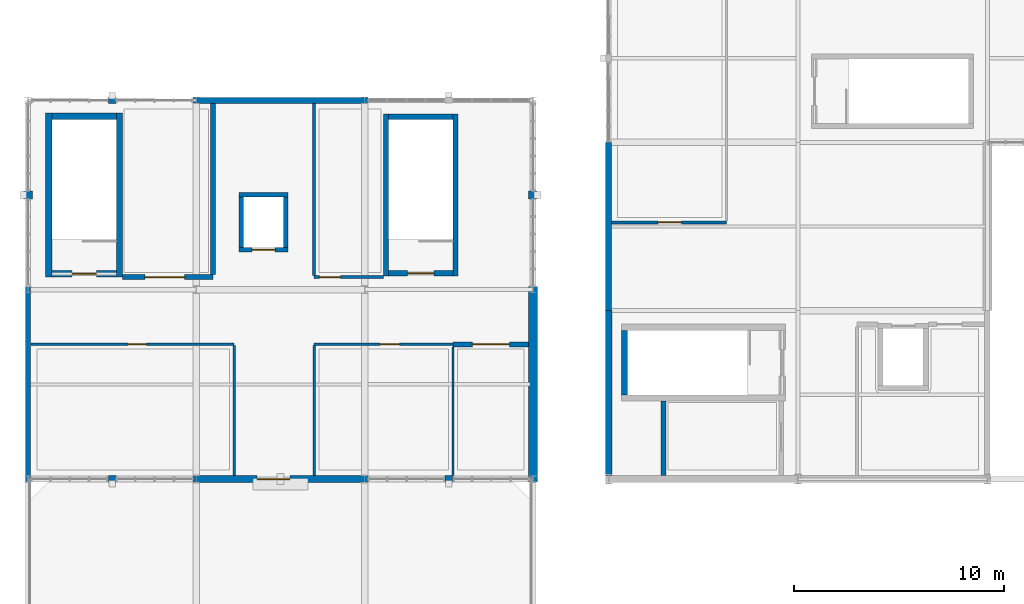
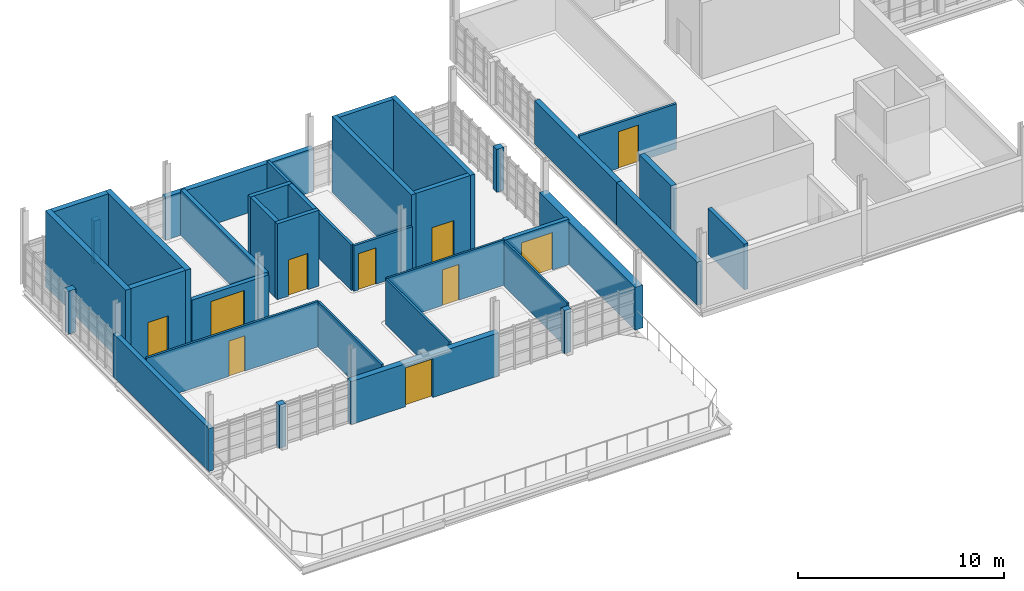
# One storey, part 38 of 44: 36 walls, 10 doors, 10 openings.
"""IFC4 building model written with IfcOpenShell, lengths in metres."""

from ifc_helpers import new_model, si_unit, direction, frame, frame_2d, origin, place, context, subcontext, project, spatial, rectangle, extrude, material, layer, layer_set, type_object, element, fill, save


model = new_model("IFC4")

# Units and contexts
model_context = context("Model", 3, precision=1e-05, world=origin(), true_north=direction((0.0, 1.0)))
body_context = subcontext(model_context, "Body", "Model", "MODEL_VIEW")
ifc_project = project(units=[si_unit("LENGTHUNIT", "METRE"), si_unit("AREAUNIT", "SQUARE_METRE"), si_unit("VOLUMEUNIT", "CUBIC_METRE"), si_unit("PLANEANGLEUNIT", "RADIAN"), si_unit("MASSUNIT", "GRAM", prefix="KILO")], contexts=[model_context])

# Site, building, storey
site_placement = place(None, origin())
site = spatial("IfcSite", under=ifc_project, at=site_placement, CompositionType="ELEMENT")
building_placement = place(site_placement, origin())
building = spatial("IfcBuilding", under=site, at=building_placement, Name="Serraforn Aerial Cableway Station", CompositionType="ELEMENT")
storey_placement = place(building_placement, frame((0.0, 0.0, 13.800048828125)))
storey = spatial("IfcBuildingStorey", under=building, at=storey_placement, Name="L03", CompositionType="ELEMENT", Elevation=13.800048828125)

# Wall, opening, door
ifc_material_1 = material(Name="Concrete C35/45", Category="concrete")
ifc_layer_1 = layer(ifc_material_1, 0.219970703125)
ifc_layer_set_1 = layer_set([ifc_layer_1], Name="Concrete C35/45")
wall_type_1 = type_object("IfcWallType", Name="WL-COR-220", PredefinedType="SHEAR", material=ifc_layer_set_1)
wall_1_placement = place(storey_placement, frame((10.030029296875, 28.889892578125, 0.0), z_axis=(0.0, 0.0, 1.0), x_axis=(1.0, 0.0, 0.0)))
wall_1 = element("IfcWall", 1, at=wall_1_placement, inside=storey, type_object=wall_type_1, Name="Lift Shaft Shear Wall WLFT-LF-01-L03-S", PredefinedType="SHEAR", context=body_context, shape_type="SweptSolid", body=[
    extrude(rectangle(XDim=2.340087890625, YDim=0.219970703125, at=frame_2d((1.169921875, 0.0))), origin(), (0.0, 0.0, 1.0), 4.5),
])
opening_1_placement = place(wall_1_placement, frame((0.6201171875, 0.0, 0.0)))
opening_1 = element("IfcOpeningElement", 2, at=opening_1_placement, cuts=wall_1, Name="Opening LD-04", PredefinedType="OPENING", context=body_context, shape_type="SweptSolid", body=[
    extrude(rectangle(XDim=1.10009765625, YDim=2.14990234375, at=frame_2d((0.550048828125, 1.074951171875))), frame((0.0, 0.119873046875, 0.0), z_axis=(0.0, -1.0, 0.0), x_axis=(1.0, 0.0, 0.0)), (0.0, 0.0, 1.0), 0.239990234375),
])
ifc_material_2 = material(Name="Brushed stainless-steel sliding lift landing door", Category="steel")
door_type_1 = type_object("IfcDoorType", Name="DR-LIFT-110", OperationType="SLIDING_TO_LEFT", PredefinedType="DOOR", material=ifc_material_2)
door_1_placement = place(opening_1_placement, origin())
door_1 = element("IfcDoor", 3, at=door_1_placement, inside=storey, type_object=door_type_1, Name="Sliding Lift Landing Door LD-04 (LF-01 L03)", OperationType="SLIDING_TO_LEFT", OverallHeight=2.14990234375, OverallWidth=1.10009765625, PredefinedType="DOOR", context=body_context, shape_type="SweptSolid", body=[
    extrude(rectangle(XDim=1.10009765625, YDim=2.14990234375, at=frame_2d((0.550048828125, 1.074951171875))), frame((0.0, 0.02490234375, 0.0), z_axis=(0.0, -1.0, 0.0), x_axis=(1.0, 0.0, 0.0)), (0.0, 0.0, 1.0), 0.050048828125),
])
fill(opening_1, door_1)

# Walls
wall_2_placement = place(storey_placement, frame((10.030029296875, 31.510009765625, 0.0), z_axis=(0.0, 0.0, 1.0), x_axis=(1.0, 0.0, 0.0)))
element("IfcWall", 4, at=wall_2_placement, inside=storey, type_object=wall_type_1, Name="Lift Shaft Shear Wall WLFT-LF-01-L03-N", PredefinedType="SHEAR", context=body_context, shape_type="SweptSolid", body=[
    extrude(rectangle(XDim=2.340087890625, YDim=0.219970703125, at=frame_2d((1.169921875, 0.0))), origin(), (0.0, 0.0, 1.0), 4.5),
])
for number, where, z_axis, x_axis, name in (
    (5, (10.139892578125, 29.0, 0.0), (0.0, 0.0, 1.0), (0.0, 1.0, 0.0), "Lift Shaft Shear Wall WLFT-LF-01-L03-W"),
    (6, (12.260009765625, 29.0, 0.0), (0.0, 0.0, 1.0), (0.0, 1.0, 0.0), "Lift Shaft Shear Wall WLFT-LF-01-L03-E"),
):
    element("IfcWall", number, at=place(storey_placement, frame(where, z_axis=z_axis, x_axis=x_axis)), inside=storey, type_object=wall_type_1, Name=name, PredefinedType="SHEAR", context=body_context, shape_type="SweptSolid", body=[
        extrude(rectangle(XDim=2.39990234375, YDim=0.219970703125, at=frame_2d((1.199951171875, 0.0))), origin(), (0.0, 0.0, 1.0), 4.5),
    ])

# Wall, opening, door
ifc_layer_2 = layer(ifc_material_1, 0.25)
ifc_layer_set_2 = layer_set([ifc_layer_2], Name="Concrete C35/45")
wall_type_2 = type_object("IfcWallType", Name="WL-COR-250", PredefinedType="SHEAR", material=ifc_layer_set_2)
wall_3_placement = place(storey_placement, frame((20.199951171875, 27.77490234375, 0.0), z_axis=(0.0, 0.0, 1.0), x_axis=(-1.0, 0.0, 0.0)))
wall_3 = element("IfcWall", 7, at=wall_3_placement, inside=storey, type_object=wall_type_2, Name="Stair Core Shear Wall WCOR-ST-02-L03-NEAR", PredefinedType="SHEAR", context=body_context, shape_type="SweptSolid", body=[
    extrude(rectangle(XDim=3.06005859375, YDim=0.25, at=frame_2d((1.530029296875, 0.0))), origin(), (0.0, 0.0, 1.0), 4.5),
])
opening_2_placement = place(wall_3_placement, frame((0.905029296875, 0.0, 0.0)))
opening_2 = element("IfcOpeningElement", 8, at=opening_2_placement, cuts=wall_3, Name="Opening D-S08", PredefinedType="OPENING", context=body_context, shape_type="SweptSolid", body=[
    extrude(rectangle(XDim=1.25, YDim=2.14990234375, at=frame_2d((0.625, 1.074951171875))), frame((0.0, 0.135009765625, 0.0), z_axis=(0.0, -1.0, 0.0), x_axis=(1.0, 0.0, 0.0)), (0.0, 0.0, 1.0), 0.27001953125),
])
ifc_material_3 = material(Name="Self-closing steel stair fire door", Category="steel")
door_type_2 = type_object("IfcDoorType", Name="DR-STAIR-125", OperationType="NOTDEFINED", PredefinedType="DOOR", material=ifc_material_3)
door_2_placement = place(opening_2_placement, origin())
door_2 = element("IfcDoor", 9, at=door_2_placement, inside=storey, type_object=door_type_2, Name="Protected Stair Door D-S08", OperationType="SINGLE_SWING_LEFT", OverallHeight=2.14990234375, OverallWidth=1.25, PredefinedType="DOOR", context=body_context, shape_type="SweptSolid", body=[
    extrude(rectangle(XDim=1.25, YDim=2.14990234375, at=frame_2d((0.625, 1.074951171875))), frame((0.0, 0.02490234375, 0.0), z_axis=(0.0, -1.0, 0.0), x_axis=(1.0, 0.0, 0.0)), (0.0, 0.0, 1.0), 0.050048828125),
])
fill(opening_2, door_2)

# Walls
wall_4_placement = place(storey_placement, frame((20.199951171875, 35.22509765625, 0.0), z_axis=(0.0, 0.0, 1.0), x_axis=(-1.0, 0.0, 0.0)))
element("IfcWall", 10, at=wall_4_placement, inside=storey, type_object=wall_type_2, Name="Stair Core Shear Wall WCOR-ST-02-L03-FAR", PredefinedType="SHEAR", context=body_context, shape_type="SweptSolid", body=[
    extrude(rectangle(XDim=3.06005859375, YDim=0.25, at=frame_2d((1.530029296875, 0.0))), origin(), (0.0, 0.0, 1.0), 4.5),
])
for number, where, z_axis, x_axis, name in (
    (11, (20.324951171875, 27.64990234375, 0.0), (0.0, 0.0, 1.0), (0.0, 1.0, 0.0), "Stair Core Shear Wall WCOR-ST-02-L03-L"),
    (12, (17.014892578125, 27.64990234375, 0.0), (0.0, 0.0, 1.0), (0.0, 1.0, 0.0), "Stair Core Shear Wall WCOR-ST-02-L03-R"),
):
    element("IfcWall", number, at=place(storey_placement, frame(where, z_axis=z_axis, x_axis=x_axis)), inside=storey, type_object=wall_type_2, Name=name, PredefinedType="SHEAR", context=body_context, shape_type="SweptSolid", body=[
        extrude(rectangle(XDim=7.7001953125, YDim=0.25, at=frame_2d((3.85009765625, 0.0))), origin(), (0.0, 0.0, 1.0), 4.5),
    ])

# Wall, opening, door
ifc_layer_3 = layer(ifc_material_1, 0.300048828125)
ifc_layer_set_3 = layer_set([ifc_layer_3], Name="Concrete C35/45")
wall_type_3 = type_object("IfcWallType", Name="WL-COR-300", PredefinedType="SHEAR", material=ifc_layer_set_3)
wall_5_placement = place(storey_placement, frame((4.199951171875, 27.75, 0.0), z_axis=(0.0, 0.0, 1.0), x_axis=(-1.0, 0.0, 0.0)))
wall_5 = element("IfcWall", 13, at=wall_5_placement, inside=storey, type_object=wall_type_3, Name="Stair Core Shear Wall WCOR-ST-01-L03-NEAR", PredefinedType="SHEAR", context=body_context, shape_type="SweptSolid", body=[
    extrude(rectangle(XDim=3.06005859375, YDim=0.300048828125, at=frame_2d((1.530029296875, 0.0))), origin(), (0.0, 0.0, 1.0), 4.5),
])
opening_3_placement = place(wall_5_placement, frame((0.955078125, 0.0, 0.0)))
opening_3 = element("IfcOpeningElement", 14, at=opening_3_placement, cuts=wall_5, Name="Opening D-S04", PredefinedType="OPENING", context=body_context, shape_type="SweptSolid", body=[
    extrude(rectangle(XDim=1.14990234375, YDim=2.14990234375, at=frame_2d((0.574951171875, 1.074951171875))), frame((0.0, 0.159912109375, 0.0), z_axis=(0.0, -1.0, 0.0), x_axis=(1.0, 0.0, 0.0)), (0.0, 0.0, 1.0), 0.320068359375),
])
door_type_3 = type_object("IfcDoorType", Name="DR-STAIR-115", OperationType="NOTDEFINED", PredefinedType="DOOR", material=ifc_material_3)
door_3_placement = place(opening_3_placement, origin())
door_3 = element("IfcDoor", 15, at=door_3_placement, inside=storey, type_object=door_type_3, Name="Protected Stair Door D-S04", OperationType="SINGLE_SWING_RIGHT", OverallHeight=2.14990234375, OverallWidth=1.14990234375, PredefinedType="DOOR", context=body_context, shape_type="SweptSolid", body=[
    extrude(rectangle(XDim=1.14990234375, YDim=2.14990234375, at=frame_2d((0.574951171875, 1.074951171875))), frame((0.0, 0.02490234375, 0.0), z_axis=(0.0, -1.0, 0.0), x_axis=(1.0, 0.0, 0.0)), (0.0, 0.0, 1.0), 0.050048828125),
])
fill(opening_3, door_3)

# Walls
wall_6_placement = place(storey_placement, frame((4.199951171875, 35.25, 0.0), z_axis=(0.0, 0.0, 1.0), x_axis=(-1.0, 0.0, 0.0)))
element("IfcWall", 16, at=wall_6_placement, inside=storey, type_object=wall_type_3, Name="Stair Core Shear Wall WCOR-ST-01-L03-FAR", PredefinedType="SHEAR", context=body_context, shape_type="SweptSolid", body=[
    extrude(rectangle(XDim=3.06005859375, YDim=0.300048828125, at=frame_2d((1.530029296875, 0.0))), origin(), (0.0, 0.0, 1.0), 4.5),
])
for number, where, z_axis, x_axis, name in (
    (17, (4.35009765625, 27.60009765625, 0.0), (0.0, 0.0, 1.0), (0.0, 1.0, 0.0), "Stair Core Shear Wall WCOR-ST-01-L03-L"),
    (18, (0.989990234375, 27.60009765625, 0.0), (0.0, 0.0, 1.0), (0.0, 1.0, 0.0), "Stair Core Shear Wall WCOR-ST-01-L03-R"),
):
    element("IfcWall", number, at=place(storey_placement, frame(where, z_axis=z_axis, x_axis=x_axis)), inside=storey, type_object=wall_type_3, Name=name, PredefinedType="SHEAR", context=body_context, shape_type="SweptSolid", body=[
        extrude(rectangle(XDim=7.7998046875, YDim=0.300048828125, at=frame_2d((3.89990234375, 0.0))), origin(), (0.0, 0.0, 1.0), 4.5),
    ])
wall_7_placement = place(storey_placement, frame((28.35009765625, 25.06005859375, 0.0), z_axis=(0.0, 0.0, 1.0), x_axis=(0.0, -1.0, 0.0)))
element("IfcWall", 19, at=wall_7_placement, inside=storey, type_object=wall_type_3, Name="Stair Core Shear Wall WCOR-ST-03-L03-FAR", PredefinedType="SHEAR", context=body_context, shape_type="SweptSolid", body=[
    extrude(rectangle(XDim=3.06005859375, YDim=0.300048828125, at=frame_2d((1.530029296875, 0.0))), origin(), (0.0, 0.0, 1.0), 4.5),
])
ifc_material_4 = material(Name="Insulated stuccoed terracotta facade", Category="masonry")
ifc_layer_4 = layer(ifc_material_4, 0.260009765625)
ifc_layer_set_4 = layer_set([ifc_layer_4], Name="Insulated stuccoed terracotta facade")
wall_type_4 = type_object("IfcWallType", Name="WL-EXT-260", PredefinedType="SOLIDWALL", material=ifc_layer_set_4)
wall_8_placement = place(storey_placement, frame((0.0, 27.14990234375, 0.0), z_axis=(0.0, 0.0, 1.0), x_axis=(0.0, -1.0, 0.0)))
element("IfcWall", 20, at=wall_8_placement, inside=storey, type_object=wall_type_4, Name="Exterior Wall WEXT-W-L03-W1", PredefinedType="SOLIDWALL", context=body_context, shape_type="SweptSolid", body=[
    extrude(rectangle(XDim=9.2998046875, YDim=0.260009765625, at=frame_2d((4.64990234375, 0.0))), origin(), (0.0, 0.0, 1.0), 2.550048828125),
])
ifc_material_5 = material(Name="Insulated fluted limestone rainscreen", Category="masonry")
ifc_layer_5 = layer(ifc_material_5, 0.2900390625)
ifc_layer_set_5 = layer_set([ifc_layer_5], Name="Insulated fluted limestone rainscreen")
wall_type_5 = type_object("IfcWallType", Name="WL-EXT-290", PredefinedType="SOLIDWALL", material=ifc_layer_set_5)
wall_9_placement = place(storey_placement, frame((16.14990234375, 36.0, 0.0), z_axis=(0.0, 0.0, 1.0), x_axis=(-1.0, 0.0, 0.0)))
element("IfcWall", 21, at=wall_9_placement, inside=storey, type_object=wall_type_5, Name="Exterior Wall WEXT-W-L03-N2", PredefinedType="SOLIDWALL", context=body_context, shape_type="SweptSolid", body=[
    extrude(rectangle(XDim=8.2998046875, YDim=0.2900390625, at=frame_2d((4.14990234375, 0.0))), origin(), (0.0, 0.0, 1.0), 2.550048828125),
])
wall_10_placement = place(storey_placement, frame((27.60009765625, 34.0, 0.0), z_axis=(0.0, 0.0, 1.0), x_axis=(0.0, -1.0, 0.0)))
element("IfcWall", 22, at=wall_10_placement, inside=storey, type_object=wall_type_5, Name="Exterior Wall WEXT-CV-L03-W2", PredefinedType="SOLIDWALL", context=body_context, shape_type="SweptSolid", body=[
    extrude(rectangle(XDim=8.0, YDim=0.2900390625, at=frame_2d((4.0, 0.0))), origin(), (0.0, 0.0, 1.0), 2.550048828125),
])
ifc_layer_6 = layer(ifc_material_5, 0.304931640625)
ifc_layer_set_6 = layer_set([ifc_layer_6], Name="Insulated fluted limestone rainscreen")
wall_type_6 = type_object("IfcWallType", Name="WL-EXT-305", PredefinedType="SOLIDWALL", material=ifc_layer_set_6)
wall_11_placement = place(storey_placement, frame((4.179931640625, 36.0, 0.0), z_axis=(0.0, 0.0, 1.0), x_axis=(-1.0, 0.0, 0.0)))
element("IfcWall", 23, at=wall_11_placement, inside=storey, type_object=wall_type_6, Name="Exterior Wall WPIER-W-L03-N1", PredefinedType="SOLIDWALL", context=body_context, shape_type="SweptSolid", body=[
    extrude(rectangle(XDim=0.35986328125, YDim=0.304931640625, at=frame_2d((0.179931640625, 0.0))), origin(), (0.0, 0.0, 1.0), 2.550048828125),
])
wall_12_placement = place(storey_placement, frame((27.60009765625, 26.0, 0.0), z_axis=(0.0, 0.0, 1.0), x_axis=(0.0, -1.0, 0.0)))
element("IfcWall", 24, at=wall_12_placement, inside=storey, type_object=wall_type_6, Name="Exterior Wall WEXT-CV-L03-W1", PredefinedType="SOLIDWALL", context=body_context, shape_type="SweptSolid", body=[
    extrude(rectangle(XDim=7.83154296875, YDim=0.304931640625, at=frame_2d((3.915771484375, 0.0))), origin(), (0.0, 0.0, 1.0), 2.550048828125),
])
ifc_layer_7 = layer(ifc_material_5, 0.320068359375)
ifc_layer_set_7 = layer_set([ifc_layer_7], Name="Insulated fluted limestone rainscreen")
wall_type_7 = type_object("IfcWallType", Name="WL-EXT-320", PredefinedType="SOLIDWALL", material=ifc_layer_set_7)
wall_13_placement = place(storey_placement, frame((19.820068359375, 18.0, 0.0), z_axis=(0.0, 0.0, 1.0), x_axis=(1.0, 0.0, 0.0)))
element("IfcWall", 25, at=wall_13_placement, inside=storey, type_object=wall_type_7, Name="Exterior Wall WPIER-W-L03-S3", PredefinedType="SOLIDWALL", context=body_context, shape_type="SweptSolid", body=[
    extrude(rectangle(XDim=0.35986328125, YDim=0.320068359375, at=frame_2d((0.179931640625, 0.0))), origin(), (0.0, 0.0, 1.0), 2.550048828125),
])

# Wall, opening, door
ifc_layer_8 = layer(ifc_material_5, 0.3349609375)
ifc_layer_set_8 = layer_set([ifc_layer_8], Name="Insulated fluted limestone rainscreen")
wall_type_8 = type_object("IfcWallType", Name="WL-EXT-335", PredefinedType="SOLIDWALL", material=ifc_layer_set_8)
wall_14_placement = place(storey_placement, frame((7.85009765625, 18.0, 0.0), z_axis=(0.0, 0.0, 1.0), x_axis=(1.0, 0.0, 0.0)))
wall_14 = element("IfcWall", 26, at=wall_14_placement, inside=storey, type_object=wall_type_8, Name="Exterior Wall WEXT-W-L03-S2", PredefinedType="SOLIDWALL", context=body_context, shape_type="SweptSolid", body=[
    extrude(rectangle(XDim=8.2998046875, YDim=0.3349609375, at=frame_2d((4.14990234375, 0.0))), origin(), (0.0, 0.0, 1.0), 2.550048828125),
])
opening_4_placement = place(wall_14_placement, frame((3.04296875, 0.0, 0.0)))
opening_4 = element("IfcOpeningElement", 27, at=opening_4_placement, cuts=wall_14, Name="Opening DT-02", PredefinedType="OPENING", context=body_context, shape_type="SweptSolid", body=[
    extrude(rectangle(XDim=1.550048828125, YDim=2.300048828125, at=frame_2d((0.77490234375, 1.14990234375))), frame((0.0, 0.177490234375, 0.0), z_axis=(0.0, -1.0, 0.0), x_axis=(1.0, 0.0, 0.0)), (0.0, 0.0, 1.0), 0.35498046875),
])
ifc_material_6 = material(Name="Anodised bronze thermally broken aluminium and laminated glass", Category="aluminium")
door_type_4 = type_object("IfcDoorType", Name="DR-TER-155", OperationType="DOUBLE_SWING_RIGHT", PredefinedType="DOOR", material=ifc_material_6)
door_4_placement = place(opening_4_placement, origin())
door_4 = element("IfcDoor", 28, at=door_4_placement, inside=storey, type_object=door_type_4, Name="Exterior Door DT-W-L03-TER", OperationType="DOUBLE_SWING_RIGHT", OverallHeight=2.300048828125, OverallWidth=1.550048828125, PredefinedType="DOOR", context=body_context, shape_type="SweptSolid", body=[
    extrude(rectangle(XDim=1.550048828125, YDim=2.300048828125, at=frame_2d((0.77490234375, 1.14990234375))), frame((0.0, 0.02490234375, 0.0), z_axis=(0.0, -1.0, 0.0), x_axis=(1.0, 0.0, 0.0)), (0.0, 0.0, 1.0), 0.050048828125),
])
fill(opening_4, door_4)

# Walls
ifc_material_7 = material(Name="Montjuic sandstone ashlar masonry", Category="masonry")
ifc_layer_9 = layer(ifc_material_7, 0.35009765625)
ifc_layer_set_9 = layer_set([ifc_layer_9], Name="Montjuic sandstone ashlar masonry")
wall_type_9 = type_object("IfcWallType", Name="WL-EXT-350", PredefinedType="SOLIDWALL", material=ifc_layer_set_9)
wall_15_placement = place(storey_placement, frame((3.820068359375, 18.0, 0.0), z_axis=(0.0, 0.0, 1.0), x_axis=(1.0, 0.0, 0.0)))
element("IfcWall", 29, at=wall_15_placement, inside=storey, type_object=wall_type_9, Name="Exterior Wall WPIER-W-L03-S1", PredefinedType="SOLIDWALL", context=body_context, shape_type="SweptSolid", body=[
    extrude(rectangle(XDim=0.35986328125, YDim=0.35009765625, at=frame_2d((0.179931640625, 0.0))), origin(), (0.0, 0.0, 1.0), 2.550048828125),
])
ifc_layer_10 = layer(ifc_material_7, 0.39990234375)
ifc_layer_set_10 = layer_set([ifc_layer_10], Name="Montjuic sandstone ashlar masonry")
wall_type_10 = type_object("IfcWallType", Name="WL-EXT-400", PredefinedType="SOLIDWALL", material=ifc_layer_set_10)
wall_16_placement = place(storey_placement, frame((24.0, 31.320068359375, 0.0), z_axis=(0.0, 0.0, 1.0), x_axis=(0.0, 1.0, 0.0)))
element("IfcWall", 30, at=wall_16_placement, inside=storey, type_object=wall_type_10, Name="Exterior Wall WPIER-W-L03-E2", PredefinedType="SOLIDWALL", context=body_context, shape_type="SweptSolid", body=[
    extrude(rectangle(XDim=0.35986328125, YDim=0.39990234375, at=frame_2d((0.179931640625, 0.0))), origin(), (0.0, 0.0, 1.0), 2.550048828125),
])
ifc_layer_11 = layer(ifc_material_7, 0.4150390625)
ifc_layer_set_11 = layer_set([ifc_layer_11], Name="Montjuic sandstone ashlar masonry")
wall_type_11 = type_object("IfcWallType", Name="WL-EXT-415", PredefinedType="SOLIDWALL", material=ifc_layer_set_11)
wall_17_placement = place(storey_placement, frame((0.0, 31.679931640625, 0.0), z_axis=(0.0, 0.0, 1.0), x_axis=(0.0, -1.0, 0.0)))
element("IfcWall", 31, at=wall_17_placement, inside=storey, type_object=wall_type_11, Name="Exterior Wall WPIER-W-L03-W2", PredefinedType="SOLIDWALL", context=body_context, shape_type="SweptSolid", body=[
    extrude(rectangle(XDim=0.35986328125, YDim=0.4150390625, at=frame_2d((0.179931640625, 0.0))), origin(), (0.0, 0.0, 1.0), 2.550048828125),
])
ifc_layer_12 = layer(ifc_material_7, 0.429931640625)
ifc_layer_set_12 = layer_set([ifc_layer_12], Name="Montjuic sandstone ashlar masonry")
wall_type_12 = type_object("IfcWallType", Name="WL-EXT-430", PredefinedType="SOLIDWALL", material=ifc_layer_set_12)
wall_18_placement = place(storey_placement, frame((24.0, 17.85009765625, 0.0), z_axis=(0.0, 0.0, 1.0), x_axis=(0.0, 1.0, 0.0)))
element("IfcWall", 32, at=wall_18_placement, inside=storey, type_object=wall_type_12, Name="Exterior Wall WEXT-W-L03-E1", PredefinedType="SOLIDWALL", context=body_context, shape_type="SweptSolid", body=[
    extrude(rectangle(XDim=9.2998046875, YDim=0.429931640625, at=frame_2d((4.64990234375, 0.0))), origin(), (0.0, 0.0, 1.0), 2.550048828125),
])
ifc_material_8 = material(Name="Sanitary service chase partition")
ifc_layer_13 = layer(ifc_material_8, 0.22802734375)
ifc_layer_set_13 = layer_set([ifc_layer_13], Name="Sanitary service chase partition")
wall_type_13 = type_object("IfcWallType", Name="WL-PLM-228", PredefinedType="PLUMBINGWALL", material=ifc_layer_set_13)
wall_19_placement = place(storey_placement, frame((30.199951171875, 18.16845703125, 0.0), z_axis=(0.0, 0.0, 1.0), x_axis=(0.0, 1.0, 0.0)))
element("IfcWall", 33, at=wall_19_placement, inside=storey, type_object=wall_type_13, Name="Interior Partition WPRT-L03-11-202", PredefinedType="PLUMBINGWALL", context=body_context, shape_type="SweptSolid", body=[
    extrude(rectangle(XDim=3.530517578125, YDim=0.22802734375, at=frame_2d((1.76513671875, 0.0))), origin(), (0.0, 0.0, 1.0), 2.699951171875),
])

# Wall, opening, door
wall_20_placement = place(storey_placement, frame((20.199951171875, 24.39990234375, 0.0), z_axis=(0.0, 0.0, 1.0), x_axis=(1.0, 0.0, 0.0)))
wall_20 = element("IfcWall", 34, at=wall_20_placement, inside=storey, type_object=wall_type_13, Name="Interior Partition WPRT-L03-05-215", PredefinedType="PLUMBINGWALL", context=body_context, shape_type="SweptSolid", body=[
    extrude(rectangle(XDim=3.583984375, YDim=0.22802734375, at=frame_2d((1.7919921875, 0.0))), origin(), (0.0, 0.0, 1.0), 2.699951171875),
])
opening_5_placement = place(wall_20_placement, frame((0.919921875, 0.0, 0.0)))
opening_5 = element("IfcOpeningElement", 35, at=opening_5_placement, cuts=wall_20, Name="Opening DI-068", PredefinedType="OPENING", context=body_context, shape_type="SweptSolid", body=[
    extrude(rectangle(XDim=1.760009765625, YDim=2.219970703125, at=frame_2d((0.8798828125, 1.10986328125))), frame((0.0, 0.1240234375, 0.0), z_axis=(0.0, -1.0, 0.0), x_axis=(1.0, 0.0, 0.0)), (0.0, 0.0, 1.0), 0.248046875),
])
ifc_material_9 = material(Name="Double-leaf machinery vault door")
door_type_5 = type_object("IfcDoorType", Name="DR-INT-176", OperationType="NOTDEFINED", PredefinedType="DOOR", material=ifc_material_9)
door_5_placement = place(opening_5_placement, origin())
door_5 = element("IfcDoor", 36, at=door_5_placement, inside=storey, type_object=door_type_5, Name="Room Door DI-068 (L03-05)", OperationType="SINGLE_SWING_LEFT", OverallHeight=2.219970703125, OverallWidth=1.760009765625, PredefinedType="DOOR", context=body_context, shape_type="SweptSolid", body=[
    extrude(rectangle(XDim=1.760009765625, YDim=2.219970703125, at=frame_2d((0.8798828125, 1.10986328125))), frame((0.0, 0.02490234375, 0.0), z_axis=(0.0, -1.0, 0.0), x_axis=(1.0, 0.0, 0.0)), (0.0, 0.0, 1.0), 0.050048828125),
])
fill(opening_5, door_5)

# Wall
wall_21_placement = place(storey_placement, frame((8.800048828125, 35.85400390625, 0.0), z_axis=(0.0, 0.0, 1.0), x_axis=(0.0, -1.0, 0.0)))
element("IfcWall", 37, at=wall_21_placement, inside=storey, type_object=wall_type_13, Name="Interior Partition WPRT-L03-04-216", PredefinedType="PLUMBINGWALL", context=body_context, shape_type="SweptSolid", body=[
    extrude(rectangle(XDim=8.138916015625, YDim=0.22802734375, at=frame_2d((4.0693359375, 0.0))), origin(), (0.0, 0.0, 1.0), 2.699951171875),
])

# Wall, opening, door
wall_22_placement = place(storey_placement, frame((8.800048828125, 27.60009765625, 0.0), z_axis=(0.0, 0.0, 1.0), x_axis=(-1.0, 0.0, 0.0)))
wall_22 = element("IfcWall", 38, at=wall_22_placement, inside=storey, type_object=wall_type_13, Name="Interior Partition WPRT-L03-04-217", PredefinedType="PLUMBINGWALL", context=body_context, shape_type="SweptSolid", body=[
    extrude(rectangle(XDim=4.299072265625, YDim=0.22802734375, at=frame_2d((2.1494140625, 0.0))), origin(), (0.0, 0.0, 1.0), 2.699951171875),
])
opening_6_placement = place(wall_22_placement, frame((1.360107421875, 0.0, 0.0)))
opening_6 = element("IfcOpeningElement", 39, at=opening_6_placement, cuts=wall_22, Name="Opening DI-069", PredefinedType="OPENING", context=body_context, shape_type="SweptSolid", body=[
    extrude(rectangle(XDim=1.8798828125, YDim=2.25, at=frame_2d((0.93994140625, 1.125))), frame((0.0, 0.1240234375, 0.0), z_axis=(0.0, -1.0, 0.0), x_axis=(1.0, 0.0, 0.0)), (0.0, 0.0, 1.0), 0.248046875),
])
door_type_6 = type_object("IfcDoorType", Name="DR-INT-188", OperationType="NOTDEFINED", PredefinedType="DOOR", material=ifc_material_9)
door_6_placement = place(opening_6_placement, origin())
door_6 = element("IfcDoor", 40, at=door_6_placement, inside=storey, type_object=door_type_6, Name="Room Door DI-069 (L03-04)", OperationType="SINGLE_SWING_RIGHT", OverallHeight=2.25, OverallWidth=1.8798828125, PredefinedType="DOOR", context=body_context, shape_type="SweptSolid", body=[
    extrude(rectangle(XDim=1.8798828125, YDim=2.25, at=frame_2d((0.93994140625, 1.125))), frame((0.0, 0.02490234375, 0.0), z_axis=(0.0, -1.0, 0.0), x_axis=(1.0, 0.0, 0.0)), (0.0, 0.0, 1.0), 0.050048828125),
])
fill(opening_6, door_6)

# Wall
ifc_material_10 = material(Name="Glazed acoustic timber-framed partition", Category="wood")
ifc_layer_14 = layer(ifc_material_10, 0.10595703125)
ifc_layer_set_14 = layer_set([ifc_layer_14], Name="Glazed acoustic timber-framed partition")
wall_type_14 = type_object("IfcWallType", Name="WL-PRT-106", PredefinedType="PARTITIONING", material=ifc_layer_set_14)
wall_23_placement = place(storey_placement, frame((20.199951171875, 24.284912109375, 0.0), z_axis=(0.0, 0.0, 1.0), x_axis=(0.0, -1.0, 0.0)))
element("IfcWall", 41, at=wall_23_placement, inside=storey, type_object=wall_type_14, Name="Interior Partition WPRT-L03-02-214", PredefinedType="PARTITIONING", context=body_context, shape_type="SweptSolid", body=[
    extrude(rectangle(XDim=6.1240234375, YDim=0.10595703125, at=frame_2d((3.06201171875, 0.0))), origin(), (0.0, 0.0, 1.0), 2.699951171875),
])

# Wall, opening, door
ifc_material_11 = material(Name="Metal-stud gypsum partition")
ifc_layer_15 = layer(ifc_material_11, 0.110107421875)
ifc_layer_set_15 = layer_set([ifc_layer_15], Name="Metal-stud gypsum partition")
wall_type_15 = type_object("IfcWallType", Name="WL-PRT-110", PredefinedType="PARTITIONING", material=ifc_layer_set_15)
wall_24_placement = place(storey_placement, frame((13.60009765625, 24.39990234375, 0.0), z_axis=(0.0, 0.0, 1.0), x_axis=(1.0, 0.0, 0.0)))
wall_24 = element("IfcWall", 42, at=wall_24_placement, inside=storey, type_object=wall_type_15, Name="Interior Partition WPRT-L03-02-213", PredefinedType="PARTITIONING", context=body_context, shape_type="SweptSolid", body=[
    extrude(rectangle(XDim=6.599853515625, YDim=0.110107421875, at=frame_2d((3.2998046875, 0.0))), origin(), (0.0, 0.0, 1.0), 2.699951171875),
])
opening_7_placement = place(wall_24_placement, frame((3.139892578125, 0.0, 0.0)))
opening_7 = element("IfcOpeningElement", 43, at=opening_7_placement, cuts=wall_24, Name="Opening DI-067", PredefinedType="OPENING", context=body_context, shape_type="SweptSolid", body=[
    extrude(rectangle(XDim=0.919921875, YDim=2.1201171875, at=frame_2d((0.4599609375, 1.06005859375))), frame((0.0, 0.06494140625, 0.0), z_axis=(0.0, -1.0, 0.0), x_axis=(1.0, 0.0, 0.0)), (0.0, 0.0, 1.0), 0.130126953125),
])
ifc_material_12 = material(Name="Timber acoustic veneer leaf", Category="wood")
door_type_7 = type_object("IfcDoorType", Name="DR-INT-092", OperationType="NOTDEFINED", PredefinedType="DOOR", material=ifc_material_12)
door_7_placement = place(opening_7_placement, origin())
door_7 = element("IfcDoor", 44, at=door_7_placement, inside=storey, type_object=door_type_7, Name="Room Door DI-067 (L03-02)", OperationType="SINGLE_SWING_RIGHT", OverallHeight=2.1201171875, OverallWidth=0.919921875, PredefinedType="DOOR", context=body_context, shape_type="SweptSolid", body=[
    extrude(rectangle(XDim=0.919921875, YDim=2.1201171875, at=frame_2d((0.4599609375, 1.06005859375))), frame((0.0, 0.02490234375, 0.0), z_axis=(0.0, -1.0, 0.0), x_axis=(1.0, 0.0, 0.0)), (0.0, 0.0, 1.0), 0.050048828125),
])
fill(opening_7, door_7)

# Walls
ifc_layer_16 = layer(ifc_material_11, 0.114013671875)
ifc_layer_set_16 = layer_set([ifc_layer_16], Name="Metal-stud gypsum partition")
wall_type_16 = type_object("IfcWallType", Name="WL-PRT-114", PredefinedType="PARTITIONING", material=ifc_layer_set_16)
wall_25_placement = place(storey_placement, frame((13.60009765625, 18.16845703125, 0.0), z_axis=(0.0, 0.0, 1.0), x_axis=(0.0, 1.0, 0.0)))
element("IfcWall", 45, at=wall_25_placement, inside=storey, type_object=wall_type_16, Name="Interior Partition WPRT-L03-02-212", PredefinedType="PARTITIONING", context=body_context, shape_type="SweptSolid", body=[
    extrude(rectangle(XDim=6.175537109375, YDim=0.114013671875, at=frame_2d((3.087890625, 0.0))), origin(), (0.0, 0.0, 1.0), 2.699951171875),
])
ifc_layer_17 = layer(ifc_material_11, 0.117919921875)
ifc_layer_set_17 = layer_set([ifc_layer_17], Name="Metal-stud gypsum partition")
wall_type_17 = type_object("IfcWallType", Name="WL-PRT-118", PredefinedType="PARTITIONING", material=ifc_layer_set_17)
wall_26_placement = place(storey_placement, frame((9.800048828125, 24.337890625, 0.0), z_axis=(0.0, 0.0, 1.0), x_axis=(0.0, -1.0, 0.0)))
element("IfcWall", 46, at=wall_26_placement, inside=storey, type_object=wall_type_17, Name="Interior Partition WPRT-L03-01-211", PredefinedType="PARTITIONING", context=body_context, shape_type="SweptSolid", body=[
    extrude(rectangle(XDim=6.16943359375, YDim=0.117919921875, at=frame_2d((3.084716796875, 0.0))), origin(), (0.0, 0.0, 1.0), 2.699951171875),
])

# Wall, opening, door
ifc_layer_18 = layer(ifc_material_11, 0.1220703125)
ifc_layer_set_18 = layer_set([ifc_layer_18], Name="Metal-stud gypsum partition")
wall_type_18 = type_object("IfcWallType", Name="WL-PRT-122", PredefinedType="PARTITIONING", material=ifc_layer_set_18)
wall_27_placement = place(storey_placement, frame((0.131103515625, 24.39990234375, 0.0), z_axis=(0.0, 0.0, 1.0), x_axis=(1.0, 0.0, 0.0)))
wall_27 = element("IfcWall", 47, at=wall_27_placement, inside=storey, type_object=wall_type_18, Name="Interior Partition WPRT-L03-01-210", PredefinedType="PARTITIONING", context=body_context, shape_type="SweptSolid", body=[
    extrude(rectangle(XDim=9.6689453125, YDim=0.1220703125, at=frame_2d((4.83447265625, 0.0))), origin(), (0.0, 0.0, 1.0), 2.699951171875),
])
opening_8_placement = place(wall_27_placement, frame((4.62890625, 0.0, 0.0)))
opening_8 = element("IfcOpeningElement", 48, at=opening_8_placement, cuts=wall_27, Name="Opening DI-066", PredefinedType="OPENING", context=body_context, shape_type="SweptSolid", body=[
    extrude(rectangle(XDim=0.8798828125, YDim=2.10009765625, at=frame_2d((0.43994140625, 1.050048828125))), frame((0.0, 0.071044921875, 0.0), z_axis=(0.0, -1.0, 0.0), x_axis=(1.0, 0.0, 0.0)), (0.0, 0.0, 1.0), 0.14208984375),
])
door_type_8 = type_object("IfcDoorType", Name="DR-INT-088", OperationType="NOTDEFINED", PredefinedType="DOOR", material=ifc_material_12)
door_8_placement = place(opening_8_placement, origin())
door_8 = element("IfcDoor", 49, at=door_8_placement, inside=storey, type_object=door_type_8, Name="Room Door DI-066 (L03-01)", OperationType="SINGLE_SWING_LEFT", OverallHeight=2.10009765625, OverallWidth=0.8798828125, PredefinedType="DOOR", context=body_context, shape_type="SweptSolid", body=[
    extrude(rectangle(XDim=0.8798828125, YDim=2.10009765625, at=frame_2d((0.43994140625, 1.050048828125))), frame((0.0, 0.02490234375, 0.0), z_axis=(0.0, -1.0, 0.0), x_axis=(1.0, 0.0, 0.0)), (0.0, 0.0, 1.0), 0.050048828125),
])
fill(opening_8, door_8)

ifc_material_13 = material(Name="Acoustic twin-stud gypsum partition")
ifc_layer_19 = layer(ifc_material_13, 0.135009765625)
ifc_layer_set_19 = layer_set([ifc_layer_19], Name="Acoustic twin-stud gypsum partition")
wall_type_19 = type_object("IfcWallType", Name="WL-PRT-135", PredefinedType="PARTITIONING", material=ifc_layer_set_19)
wall_28_placement = place(storey_placement, frame((33.199951171875, 30.199951171875, 0.0), z_axis=(0.0, 0.0, 1.0), x_axis=(-1.0, 0.0, 0.0)))
wall_28 = element("IfcWall", 50, at=wall_28_placement, inside=storey, type_object=wall_type_19, Name="Interior Partition WPRT-L03-07-198", PredefinedType="PARTITIONING", context=body_context, shape_type="SweptSolid", body=[
    extrude(rectangle(XDim=5.453857421875, YDim=0.135009765625, at=frame_2d((2.72705078125, 0.0))), origin(), (0.0, 0.0, 1.0), 2.699951171875),
])
opening_9_placement = place(wall_28_placement, frame((2.139892578125, 0.0, 0.0)))
opening_9 = element("IfcOpeningElement", 51, at=opening_9_placement, cuts=wall_28, Name="Opening DI-062", PredefinedType="OPENING", context=body_context, shape_type="SweptSolid", body=[
    extrude(rectangle(XDim=1.1201171875, YDim=2.179931640625, at=frame_2d((0.56005859375, 1.08984375))), frame((0.0, 0.077392578125, 0.0), z_axis=(0.0, -1.0, 0.0), x_axis=(1.0, 0.0, 0.0)), (0.0, 0.0, 1.0), 0.155029296875),
])
ifc_material_14 = material(Name="Fire-rated steel-core acoustic leaf", Category="steel")
door_type_9 = type_object("IfcDoorType", Name="DR-INT-112", OperationType="NOTDEFINED", PredefinedType="DOOR", material=ifc_material_14)
door_9_placement = place(opening_9_placement, origin())
door_9 = element("IfcDoor", 52, at=door_9_placement, inside=storey, type_object=door_type_9, Name="Room Door DI-062 (L03-07)", OperationType="SINGLE_SWING_LEFT", OverallHeight=2.179931640625, OverallWidth=1.1201171875, PredefinedType="DOOR", context=body_context, shape_type="SweptSolid", body=[
    extrude(rectangle(XDim=1.1201171875, YDim=2.179931640625, at=frame_2d((0.56005859375, 1.08984375))), frame((0.0, 0.02490234375, 0.0), z_axis=(0.0, -1.0, 0.0), x_axis=(1.0, 0.0, 0.0)), (0.0, 0.0, 1.0), 0.050048828125),
])
fill(opening_9, door_9)

wall_29_placement = place(storey_placement, frame((16.888916015625, 27.60009765625, 0.0), z_axis=(0.0, 0.0, 1.0), x_axis=(-1.0, 0.0, 0.0)))
wall_29 = element("IfcWall", 53, at=wall_29_placement, inside=storey, type_object=wall_type_19, Name="Interior Partition WPRT-L03-03-218", PredefinedType="PARTITIONING", context=body_context, shape_type="SweptSolid", body=[
    extrude(rectangle(XDim=3.288818359375, YDim=0.135009765625, at=frame_2d((1.64453125, 0.0))), origin(), (0.0, 0.0, 1.0), 2.699951171875),
])
opening_10_placement = place(wall_29_placement, frame((2.0390625, 0.0, 0.0)))
opening_10 = element("IfcOpeningElement", 54, at=opening_10_placement, cuts=wall_29, Name="Opening DI-070", PredefinedType="OPENING", context=body_context, shape_type="SweptSolid", body=[
    extrude(rectangle(XDim=1.0, YDim=2.14990234375, at=frame_2d((0.5, 1.074951171875))), frame((0.0, 0.077392578125, 0.0), z_axis=(0.0, -1.0, 0.0), x_axis=(1.0, 0.0, 0.0)), (0.0, 0.0, 1.0), 0.155029296875),
])
ifc_material_15 = material(Name="Fire-rated oak veneer leaf")
door_type_10 = type_object("IfcDoorType", Name="DR-INT-100", OperationType="NOTDEFINED", PredefinedType="DOOR", material=ifc_material_15)
door_10_placement = place(opening_10_placement, origin())
door_10 = element("IfcDoor", 55, at=door_10_placement, inside=storey, type_object=door_type_10, Name="Room Door DI-070 (L03-03)", OperationType="SINGLE_SWING_LEFT", OverallHeight=2.14990234375, OverallWidth=1.0, PredefinedType="DOOR", context=body_context, shape_type="SweptSolid", body=[
    extrude(rectangle(XDim=1.0, YDim=2.14990234375, at=frame_2d((0.5, 1.074951171875))), frame((0.0, 0.02490234375, 0.0), z_axis=(0.0, -1.0, 0.0), x_axis=(1.0, 0.0, 0.0)), (0.0, 0.0, 1.0), 0.050048828125),
])
fill(opening_10, door_10)

# Wall
ifc_layer_20 = layer(ifc_material_13, 0.14501953125)
ifc_layer_set_20 = layer_set([ifc_layer_20], Name="Acoustic twin-stud gypsum partition")
wall_type_20 = type_object("IfcWallType", Name="WL-PRT-145", PredefinedType="PARTITIONING", material=ifc_layer_set_20)
wall_30_placement = place(storey_placement, frame((13.60009765625, 27.66845703125, 0.0), z_axis=(0.0, 0.0, 1.0), x_axis=(0.0, 1.0, 0.0)))
element("IfcWall", 56, at=wall_30_placement, inside=storey, type_object=wall_type_20, Name="Interior Partition WPRT-L03-03-219", PredefinedType="PARTITIONING", context=body_context, shape_type="SweptSolid", body=[
    extrude(rectangle(XDim=8.185546875, YDim=0.14501953125, at=frame_2d((4.0927734375, 0.0))), origin(), (0.0, 0.0, 1.0), 2.699951171875),
])

save(model, "model.ifc")
